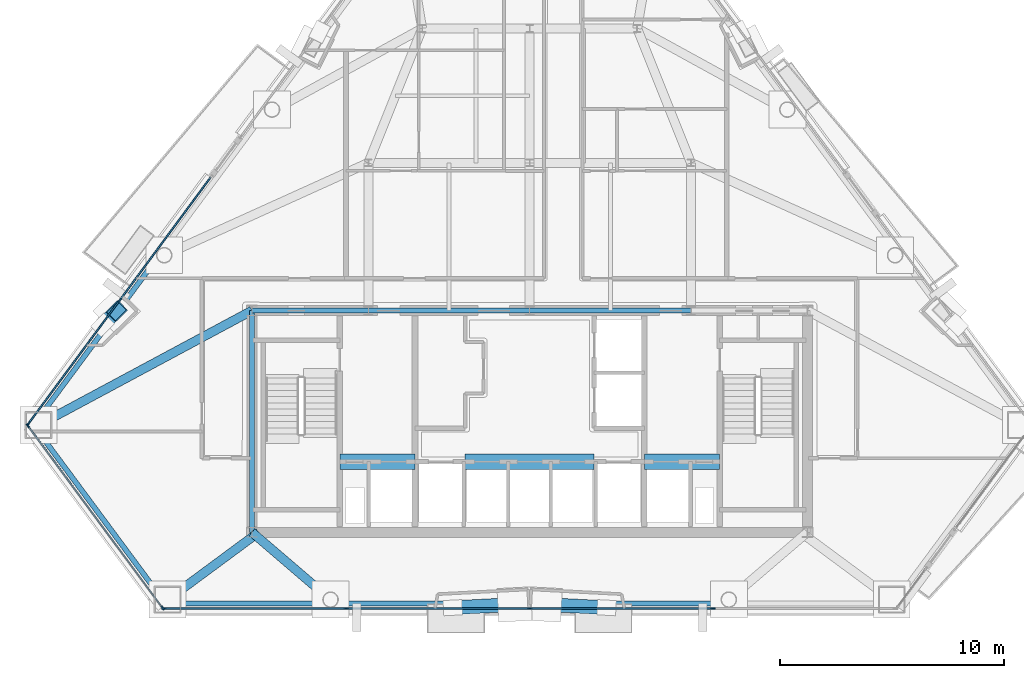
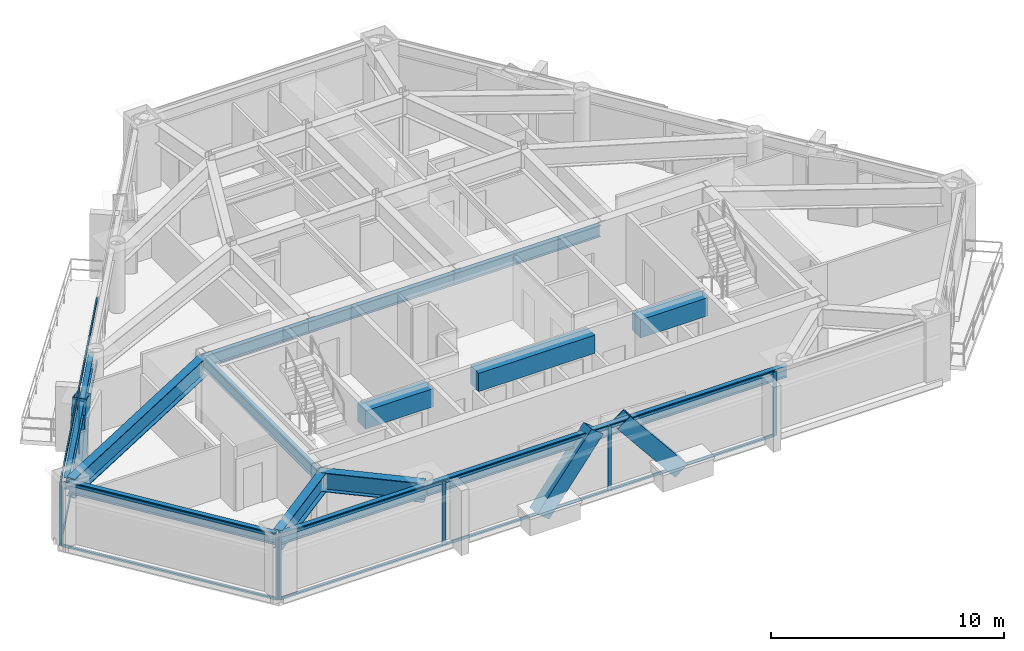
# One storey, part 3 of 11: 23 members, 14 beams, 3 elements without a shape of their own.
"""IFC4 building model written with IfcOpenShell, lengths in metres."""

from ifc_helpers import new_model, si_unit, direction, frame, origin, origin_2d, place, context, subcontext, project, spatial, rectangle, hollow_rectangle, i_section, extrude, material, layer, layer_set, material_profile, profile_set, type_object, element, aggregate, save


model = new_model("IFC4")

# Units and contexts
model_context = context("Model", 3, precision=1e-05, world=origin(), true_north=direction((0.0, 1.0)))
body_context = subcontext(model_context, "Body", "Model", "MODEL_VIEW")
ifc_project = project(units=[si_unit("LENGTHUNIT", "METRE"), si_unit("AREAUNIT", "SQUARE_METRE"), si_unit("VOLUMEUNIT", "CUBIC_METRE"), si_unit("PLANEANGLEUNIT", "RADIAN"), si_unit("MASSUNIT", "GRAM", prefix="KILO")], contexts=[model_context])

# Site, building, storey
site_placement = place(None, origin())
site = spatial("IfcSite", under=ifc_project, at=site_placement, CompositionType="ELEMENT")
building_placement = place(site_placement, origin())
building = spatial("IfcBuilding", under=site, at=building_placement, Name="Talgorran Terracotta Tower", CompositionType="ELEMENT")
storey_placement = place(building_placement, frame((0.0, 0.0, 110.39990234375)))
storey = spatial("IfcBuildingStorey", under=building, at=storey_placement, Name="L28", CompositionType="ELEMENT", Elevation=110.39990234375)

# Beams
ifc_material_1 = material(Name="Steel Grade 350 (350L0)", Category="steel")
ifc_material_profile_1 = material_profile(ifc_material_1, i_section(OverallWidth=0.39990234375, OverallDepth=1.0, WebThickness=0.01611328125, FlangeThickness=0.031005859375, at=origin_2d()), Name="1000WB296")
ifc_profile_set_1 = profile_set([ifc_material_profile_1], Name="Steel Grade 350 (350L0)")
beam_type_1 = type_object("IfcBeamType", Name="BM_1000WB296", PredefinedType="BEAM", material=ifc_profile_set_1)
beam_1_placement = place(storey_placement, frame((-8.891845703125, -17.10791015625, 2.85009765625), z_axis=(-0.759159629556, 0.650904491345, 0.0), x_axis=(-0.650904491345, -0.759159629556, 0.0)))
element("IfcBeam", 1, at=beam_1_placement, inside=storey, type_object=beam_type_1, Name="L28 South-West Core Tie Beam", PredefinedType="BEAM", context=body_context, shape_type="SweptSolid", body=[
    extrude(i_section(OverallWidth=0.39990234375, OverallDepth=1.0, WebThickness=0.01611328125, FlangeThickness=0.031005859375, at=origin_2d()), origin(), (0.0, 0.0, 1.0), 4.62109375),
])
beam_2_placement = place(storey_placement, frame((-16.1669921875, -17.10791015625, 2.85009765625), z_axis=(0.804001573254, 0.594627169077, 0.0), x_axis=(-0.594627169077, 0.804001573254, 0.0)))
element("IfcBeam", 2, at=beam_2_placement, inside=storey, type_object=beam_type_1, Name="L28 Perimeter Step Girder 2", PredefinedType="BEAM", context=body_context, shape_type="SweptSolid", body=[
    extrude(i_section(OverallWidth=0.39990234375, OverallDepth=1.0, WebThickness=0.01611328125, FlangeThickness=0.031005859375, at=origin_2d()), origin(), (0.0, 0.0, 1.0), 5.058349609375),
])
beam_3_placement = place(storey_placement, frame((-12.39990234375, -4.199951171875, 2.85009765625), z_axis=(-0.88117219048, -0.472795485093, 0.0), x_axis=(0.472795485093, -0.88117219048, 0.0)))
element("IfcBeam", 3, at=beam_3_placement, inside=storey, type_object=beam_type_1, Name="L28 Floor Girder G17", PredefinedType="BEAM", context=body_context, shape_type="SweptSolid", body=[
    extrude(i_section(OverallWidth=0.39990234375, OverallDepth=1.0, WebThickness=0.01611328125, FlangeThickness=0.031005859375, at=origin_2d()), origin(), (0.0, 0.0, 1.0), 10.820068359375),
])
ifc_material_2 = material(Name="Concrete C65/80", Category="concrete")
ifc_material_profile_2 = material_profile(ifc_material_2, rectangle(XDim=0.699951171875, YDim=0.949951171875, at=origin_2d()), Name="RCCB700X950")
ifc_profile_set_2 = profile_set([ifc_material_profile_2], Name="Concrete C65/80")
beam_type_2 = type_object("IfcBeamType", Name="BM_CB_700X950", PredefinedType="LINTEL", material=ifc_profile_set_2)
beam_4_placement = place(storey_placement, frame((-8.47998046875, -10.949951171875, 2.875), z_axis=(1.0, 0.0, 0.0), x_axis=(0.0, 1.0, 0.0)))
element("IfcBeam", 4, at=beam_4_placement, inside=storey, type_object=beam_type_2, Name="L28 Core Shear-Wall Coupling Beam CB1", PredefinedType="LINTEL", context=body_context, shape_type="SweptSolid", body=[
    extrude(rectangle(XDim=0.699951171875, YDim=0.949951171875, at=origin_2d()), origin(), (0.0, 0.0, 1.0), 3.35986328125),
])
beam_5_placement = place(storey_placement, frame((-2.8798828125, -10.949951171875, 2.875), z_axis=(1.0, 0.0, 0.0), x_axis=(0.0, 1.0, 0.0)))
element("IfcBeam", 5, at=beam_5_placement, inside=storey, type_object=beam_type_2, Name="L28 Core Shear-Wall Coupling Beam CB2", PredefinedType="LINTEL", context=body_context, shape_type="SweptSolid", body=[
    extrude(rectangle(XDim=0.699951171875, YDim=0.949951171875, at=origin_2d()), origin(), (0.0, 0.0, 1.0), 5.759765625),
])
beam_6_placement = place(storey_placement, frame((5.1201171875, -10.949951171875, 2.875), z_axis=(1.0, 0.0, 0.0), x_axis=(0.0, 1.0, 0.0)))
element("IfcBeam", 6, at=beam_6_placement, inside=storey, type_object=beam_type_2, Name="L28 Core Shear-Wall Coupling Beam CB3", PredefinedType="LINTEL", context=body_context, shape_type="SweptSolid", body=[
    extrude(rectangle(XDim=0.699951171875, YDim=0.949951171875, at=origin_2d()), origin(), (0.0, 0.0, 1.0), 3.35986328125),
])
ifc_material_3 = material(Name="Steel S355 (300PLUS)", Category="steel")
ifc_material_profile_3 = material_profile(ifc_material_3, i_section(OverallWidth=0.22900390625, OverallDepth=0.611572265625, WebThickness=0.011962890625, FlangeThickness=0.01953125, at=origin_2d()), Name="610UB125")
ifc_profile_set_3 = profile_set([ifc_material_profile_3], Name="Steel S355 (300PLUS)")
beam_type_3 = type_object("IfcBeamType", Name="BM_SP_610UB125", PredefinedType="SPANDREL", material=ifc_profile_set_3)
beam_7_placement = place(storey_placement, frame((-22.0791015625, -9.422607421875, 3.044189453125), z_axis=(0.594914928608, -0.803788671057, 0.0), x_axis=(0.803788671057, 0.594914928608, 0.0)))
element("IfcBeam", 7, at=beam_7_placement, inside=storey, type_object=beam_type_3, Name="L28 Perimeter Spandrel Beam MC1-MC2", PredefinedType="SPANDREL", context=body_context, shape_type="SweptSolid", body=[
    extrude(i_section(OverallWidth=0.22900390625, OverallDepth=0.611572265625, WebThickness=0.011962890625, FlangeThickness=0.01953125, at=origin_2d()), origin(), (0.0, 0.0, 1.0), 9.6943359375),
])
beam_8_placement = place(storey_placement, frame((-16.1669921875, -17.287841796875, 3.044189453125), z_axis=(1.0, 0.0, 0.0), x_axis=(0.0, 1.0, 0.0)))
element("IfcBeam", 8, at=beam_8_placement, inside=storey, type_object=beam_type_3, Name="L28 Perimeter Spandrel Beam MC2-FC1", PredefinedType="SPANDREL", context=body_context, shape_type="SweptSolid", body=[
    extrude(i_section(OverallWidth=0.22900390625, OverallDepth=0.611572265625, WebThickness=0.011962890625, FlangeThickness=0.01953125, at=origin_2d()), origin(), (0.0, 0.0, 1.0), 7.275146484375),
])
beam_9_placement = place(storey_placement, frame((-8.891845703125, -17.287841796875, 3.044189453125), z_axis=(1.0, 0.0, 0.0), x_axis=(0.0, 1.0, 0.0)))
element("IfcBeam", 9, at=beam_9_placement, inside=storey, type_object=beam_type_3, Name="L28 Perimeter Spandrel Beam FC1-FC2", PredefinedType="SPANDREL", context=body_context, shape_type="SweptSolid", body=[
    extrude(i_section(OverallWidth=0.22900390625, OverallDepth=0.611572265625, WebThickness=0.011962890625, FlangeThickness=0.01953125, at=origin_2d()), origin(), (0.0, 0.0, 1.0), 17.78369140625),
])
beam_10_placement = place(storey_placement, frame((-16.46337890625, -1.621337890625, 3.044189453125), z_axis=(-0.594926898508, -0.803779811535, 0.0), x_axis=(0.803779811535, -0.594926898508, 0.0)))
element("IfcBeam", 10, at=beam_10_placement, inside=storey, type_object=beam_type_3, Name="L28 Perimeter Spandrel Beam FC6-MC1", PredefinedType="SPANDREL", context=body_context, shape_type="SweptSolid", body=[
    extrude(i_section(OverallWidth=0.22900390625, OverallDepth=0.611572265625, WebThickness=0.011962890625, FlangeThickness=0.01953125, at=origin_2d()), origin(), (0.0, 0.0, 1.0), 9.439453125),
])
beam_11_placement = place(storey_placement, frame((-12.39990234375, -14.10009765625, 3.044189453125), z_axis=(0.0, 1.0, 0.0), x_axis=(-1.0, 0.0, 0.0)))
element("IfcBeam", 11, at=beam_11_placement, inside=storey, type_object=beam_type_3, Name="L28 Core Frame Beam CFW", PredefinedType="SPANDREL", context=body_context, shape_type="SweptSolid", body=[
    extrude(i_section(OverallWidth=0.22900390625, OverallDepth=0.611572265625, WebThickness=0.011962890625, FlangeThickness=0.01953125, at=origin_2d()), origin(), (0.0, 0.0, 1.0), 9.900146484375),
])
beam_12_placement = place(storey_placement, frame((-12.39990234375, -4.199951171875, 3.044189453125), z_axis=(1.0, 0.0, 0.0), x_axis=(0.0, 1.0, 0.0)))
element("IfcBeam", 12, at=beam_12_placement, inside=storey, type_object=beam_type_3, Name="L28 Core Frame Beam CFN1", PredefinedType="SPANDREL", context=body_context, shape_type="SweptSolid", body=[
    extrude(i_section(OverallWidth=0.22900390625, OverallDepth=0.611572265625, WebThickness=0.011962890625, FlangeThickness=0.01953125, at=origin_2d()), origin(), (0.0, 0.0, 1.0), 5.199951171875),
])
for number, where, z_axis, x_axis, name in (
    (13, (-7.199951171875, -4.199951171875, 3.044189453125), (1.0, 0.0, 0.0), (0.0, 1.0, 0.0), "L28 Core Frame Beam CFN2"),
    (14, (0.0, -4.199951171875, 3.044189453125), (1.0, 0.0, 0.0), (0.0, 1.0, 0.0), "L28 Core Frame Beam CFN3"),
):
    element("IfcBeam", number, at=place(storey_placement, frame(where, z_axis=z_axis, x_axis=x_axis)), inside=storey, type_object=beam_type_3, Name=name, PredefinedType="SPANDREL", context=body_context, shape_type="SweptSolid", body=[
        extrude(i_section(OverallWidth=0.22900390625, OverallDepth=0.611572265625, WebThickness=0.011962890625, FlangeThickness=0.01953125, at=origin_2d()), origin(), (0.0, 0.0, 1.0), 7.199951171875),
    ])

# Members
ifc_material_profile_4 = material_profile(ifc_material_1, hollow_rectangle(XDim=0.6201171875, YDim=0.780029296875, WallThickness=0.0419921875, at=origin_2d()), Name="WBOX780X620X42")
ifc_profile_set_4 = profile_set([ifc_material_profile_4], Name="Steel Grade 350 (350L0)")
member_type_1 = type_object("IfcMemberType", Name="MB_MEGA_780", PredefinedType="BRACE", material=ifc_profile_set_4)
for number, where, z_axis, x_axis, name in (
    (15, (-3.43310546875, -17.4677734375, -0.02490234375), (0.630052376054, 0.032981785005, 0.775851922268), (-0.052276111082, 0.998632669308, 0.0), "L28 Exterior Face Mega-Brace MB-2 (SWF)"),
    (16, (3.43310546875, -17.4677734375, -0.02490234375), (-0.630052376054, 0.032981785005, 0.775851922268), (-0.052276111082, -0.998632669308, 0.0), "L28 Exterior Face Mega-Brace MB-2 (SEF)"),
):
    element("IfcMember", number, at=place(storey_placement, frame(where, z_axis=z_axis, x_axis=x_axis)), inside=storey, type_object=member_type_1, Name=name, PredefinedType="BRACE", context=body_context, shape_type="SweptSolid", body=[
        extrude(hollow_rectangle(XDim=0.6201171875, YDim=0.780029296875, WallThickness=0.0419921875, at=origin_2d()), origin(), (0.0, 0.0, 1.0), 4.382080078125),
    ])
member_1_placement = place(storey_placement, frame((-19.071044921875, -4.841796875, -0.02490234375), z_axis=(0.178707725428, 0.176274909251, 0.967982802141), x_axis=(-0.702244247623, 0.711936104353, 0.0)))
element("IfcMember", 17, at=member_1_placement, inside=storey, type_object=member_type_1, Name="L28 Exterior Face Mega-Brace MB-2 (NWL)", PredefinedType="BRACE", context=body_context, shape_type="SweptSolid", body=[
    extrude(hollow_rectangle(XDim=0.6201171875, YDim=0.780029296875, WallThickness=0.0419921875, at=origin_2d()), origin(), (0.0, 0.0, 1.0), 3.512451171875),
])

# Curtain wall, members
ifc_material_4 = material(Name="Unitised Low-E Double Glazing", Category="glass")
ifc_layer = layer(ifc_material_4, 0.199951171875, Name="CW_SYS2_RES_LOW")
ifc_layer_set = layer_set([ifc_layer], Name="Unitised Low-E Double Glazing")
curtain_wall_type = type_object("IfcCurtainWallType", Name="CW_SYS2_RES_LOW", PredefinedType="NOTDEFINED", material=ifc_layer_set)
curtain_wall_1_placement = place(storey_placement, origin())
curtain_wall_1 = element("IfcCurtainWall", 18, at=curtain_wall_1_placement, inside=storey, type_object=curtain_wall_type, Name="CW-L28-F0", PredefinedType="NOTDEFINED")
ifc_material_5 = material(Name="Architectural Aluminium 6063-T6", Category="aluminium")
ifc_material_profile_5 = material_profile(ifc_material_5, rectangle(XDim=0.06494140625, YDim=0.18505859375, at=origin_2d()), Name="CWM65X185")
ifc_profile_set_5 = profile_set([ifc_material_profile_5], Name="Architectural Aluminium 6063-T6")
member_type_2 = type_object("IfcMemberType", Name="MUL_65X185", PredefinedType="MULLION", material=ifc_profile_set_5)
member_2_placement = place(storey_placement, frame((-22.41259765625, -9.341796875, 0.0), z_axis=(0.0, 0.0, 1.0), x_axis=(0.803791602963, 0.594910967294, 0.0)))
member_2 = element("IfcMember", 19, at=member_2_placement, type_object=member_type_2, Name="CW-L28-0 mullion 1", PredefinedType="MULLION", context=body_context, shape_type="SweptSolid", body=[
    extrude(rectangle(XDim=0.06494140625, YDim=0.18505859375, at=origin_2d()), origin(), (0.0, 0.0, 1.0), 3.35009765625),
])
member_3_placement = place(storey_placement, frame((-16.387939453125, -17.481689453125, 0.0), z_axis=(0.0, 0.0, 1.0), x_axis=(0.803791602963, 0.594910967294, 0.0)))
member_3 = element("IfcMember", 20, at=member_3_placement, type_object=member_type_2, Name="CW-L28-0 mullion 2", PredefinedType="MULLION", context=body_context, shape_type="SweptSolid", body=[
    extrude(rectangle(XDim=0.06494140625, YDim=0.18505859375, at=origin_2d()), origin(), (0.0, 0.0, 1.0), 3.35009765625),
])

curtain_wall_2_placement = place(storey_placement, origin())
curtain_wall_2 = element("IfcCurtainWall", 21, at=curtain_wall_2_placement, inside=storey, type_object=curtain_wall_type, Name="CW-L28-F1", PredefinedType="NOTDEFINED")
member_4_placement = place(storey_placement, frame((-16.336181640625, -17.5078125, 0.0), z_axis=(0.0, 0.0, 1.0), x_axis=(0.0, 1.0, 0.0)))
member_4 = element("IfcMember", 22, at=member_4_placement, type_object=member_type_2, Name="CW-L28-1 mullion 1", PredefinedType="MULLION", context=body_context, shape_type="SweptSolid", body=[
    extrude(rectangle(XDim=0.06494140625, YDim=0.18505859375, at=origin_2d()), origin(), (0.0, 0.0, 1.0), 3.35009765625),
])
member_5_placement = place(storey_placement, frame((-8.184326171875, -17.5078125, 0.0), z_axis=(0.0, 0.0, 1.0), x_axis=(0.0, 1.0, 0.0)))
member_5 = element("IfcMember", 23, at=member_5_placement, type_object=member_type_2, Name="CW-L28-1 mullion 2", PredefinedType="MULLION", context=body_context, shape_type="SweptSolid", body=[
    extrude(rectangle(XDim=0.06494140625, YDim=0.18505859375, at=origin_2d()), origin(), (0.0, 0.0, 1.0), 3.35009765625),
])
member_6_placement = place(storey_placement, frame((0.0, -17.5078125, 0.0), z_axis=(0.0, 0.0, 1.0), x_axis=(0.0, 1.0, 0.0)))
member_6 = element("IfcMember", 24, at=member_6_placement, type_object=member_type_2, Name="CW-L28-1 mullion 3", PredefinedType="MULLION", context=body_context, shape_type="SweptSolid", body=[
    extrude(rectangle(XDim=0.06494140625, YDim=0.18505859375, at=origin_2d()), origin(), (0.0, 0.0, 1.0), 3.35009765625),
])
member_7_placement = place(storey_placement, frame((8.184326171875, -17.5078125, 0.0), z_axis=(0.0, 0.0, 1.0), x_axis=(0.0, 1.0, 0.0)))
member_7 = element("IfcMember", 25, at=member_7_placement, type_object=member_type_2, Name="CW-L28-1 mullion 4", PredefinedType="MULLION", context=body_context, shape_type="SweptSolid", body=[
    extrude(rectangle(XDim=0.06494140625, YDim=0.18505859375, at=origin_2d()), origin(), (0.0, 0.0, 1.0), 3.35009765625),
])

curtain_wall_3_placement = place(storey_placement, origin())
curtain_wall_3 = element("IfcCurtainWall", 26, at=curtain_wall_3_placement, inside=storey, type_object=curtain_wall_type, Name="CW-L28-F61", PredefinedType="NOTDEFINED")
member_8_placement = place(storey_placement, frame((-18.306640625, -3.741943359375, 0.0), z_axis=(0.0, 0.0, 1.0), x_axis=(0.803790572236, -0.594912359919, 0.0)))
member_8 = element("IfcMember", 27, at=member_8_placement, type_object=member_type_2, Name="CW-L28-61 mullion 2", PredefinedType="MULLION", context=body_context, shape_type="SweptSolid", body=[
    extrude(rectangle(XDim=0.06494140625, YDim=0.18505859375, at=origin_2d()), origin(), (0.0, 0.0, 1.0), 3.35009765625),
])
member_9_placement = place(storey_placement, frame((-22.388671875, -9.25732421875, 0.0), z_axis=(0.0, 0.0, 1.0), x_axis=(0.803790572236, -0.594912359919, 0.0)))
member_9 = element("IfcMember", 28, at=member_9_placement, type_object=member_type_2, Name="CW-L28-61 mullion 3", PredefinedType="MULLION", context=body_context, shape_type="SweptSolid", body=[
    extrude(rectangle(XDim=0.06494140625, YDim=0.18505859375, at=origin_2d()), origin(), (0.0, 0.0, 1.0), 3.35009765625),
])

# Member
ifc_material_profile_6 = material_profile(ifc_material_5, rectangle(XDim=0.06494140625, YDim=0.14990234375, at=origin_2d()), Name="CWT65X150")
ifc_profile_set_6 = profile_set([ifc_material_profile_6], Name="Architectural Aluminium 6063-T6")
member_type_3 = type_object("IfcMemberType", Name="TRN_65X150", PredefinedType="USERDEFINED", material=ifc_profile_set_6)
member_10_placement = place(storey_placement, frame((-22.393310546875, -9.367919921875, 0.03271484375), z_axis=(0.594921707511, -0.803783653686, 0.0), x_axis=(0.803783653686, 0.594921707511, 0.0)))
member_10 = element("IfcMember", 29, at=member_10_placement, type_object=member_type_3, Name="CW-L28-0 transom 1.1", ObjectType="TRANSOM", PredefinedType="USERDEFINED", context=body_context, shape_type="SweptSolid", body=[
    extrude(rectangle(XDim=0.06494140625, YDim=0.14990234375, at=origin_2d()), origin(), (0.0, 0.0, 1.0), 10.06201171875),
])

member_11_placement = place(storey_placement, frame((-22.393310546875, -9.367919921875, 3.317626953125), z_axis=(0.594921707511, -0.803783653686, 0.0), x_axis=(0.803783653686, 0.594921707511, 0.0)))
member_11 = element("IfcMember", 30, at=member_11_placement, type_object=member_type_3, Name="CW-L28-0 transom 1.2", ObjectType="TRANSOM", PredefinedType="USERDEFINED", context=body_context, shape_type="SweptSolid", body=[
    extrude(rectangle(XDim=0.06494140625, YDim=0.14990234375, at=origin_2d()), origin(), (0.0, 0.0, 1.0), 10.06201171875),
])

aggregate(curtain_wall_1, [member_2, member_3, member_10, member_11])

member_12_placement = place(storey_placement, frame((-16.3037109375, -17.5078125, 0.03271484375), z_axis=(1.0, 0.0, 0.0), x_axis=(0.0, 1.0, 0.0)))
member_12 = element("IfcMember", 31, at=member_12_placement, type_object=member_type_3, Name="CW-L28-1 transom 1.1", ObjectType="TRANSOM", PredefinedType="USERDEFINED", context=body_context, shape_type="SweptSolid", body=[
    extrude(rectangle(XDim=0.06494140625, YDim=0.14990234375, at=origin_2d()), origin(), (0.0, 0.0, 1.0), 8.0869140625),
])

member_13_placement = place(storey_placement, frame((-16.3037109375, -17.5078125, 3.317626953125), z_axis=(1.0, 0.0, 0.0), x_axis=(0.0, 1.0, 0.0)))
member_13 = element("IfcMember", 32, at=member_13_placement, type_object=member_type_3, Name="CW-L28-1 transom 1.2", ObjectType="TRANSOM", PredefinedType="USERDEFINED", context=body_context, shape_type="SweptSolid", body=[
    extrude(rectangle(XDim=0.06494140625, YDim=0.14990234375, at=origin_2d()), origin(), (0.0, 0.0, 1.0), 8.0869140625),
])

member_14_placement = place(storey_placement, frame((-8.15185546875, -17.5078125, 0.03271484375), z_axis=(1.0, 0.0, 0.0), x_axis=(0.0, 1.0, 0.0)))
member_14 = element("IfcMember", 33, at=member_14_placement, type_object=member_type_3, Name="CW-L28-1 transom 2.1", ObjectType="TRANSOM", PredefinedType="USERDEFINED", context=body_context, shape_type="SweptSolid", body=[
    extrude(rectangle(XDim=0.06494140625, YDim=0.14990234375, at=origin_2d()), origin(), (0.0, 0.0, 1.0), 8.119384765625),
])

member_15_placement = place(storey_placement, frame((-8.15185546875, -17.5078125, 3.317626953125), z_axis=(1.0, 0.0, 0.0), x_axis=(0.0, 1.0, 0.0)))
member_15 = element("IfcMember", 34, at=member_15_placement, type_object=member_type_3, Name="CW-L28-1 transom 2.2", ObjectType="TRANSOM", PredefinedType="USERDEFINED", context=body_context, shape_type="SweptSolid", body=[
    extrude(rectangle(XDim=0.06494140625, YDim=0.14990234375, at=origin_2d()), origin(), (0.0, 0.0, 1.0), 8.119384765625),
])

member_16_placement = place(storey_placement, frame((0.032470703125, -17.5078125, 0.03271484375), z_axis=(1.0, 0.0, 0.0), x_axis=(0.0, 1.0, 0.0)))
member_16 = element("IfcMember", 35, at=member_16_placement, type_object=member_type_3, Name="CW-L28-1 transom 3.1", ObjectType="TRANSOM", PredefinedType="USERDEFINED", context=body_context, shape_type="SweptSolid", body=[
    extrude(rectangle(XDim=0.06494140625, YDim=0.14990234375, at=origin_2d()), origin(), (0.0, 0.0, 1.0), 8.119384765625),
])

member_17_placement = place(storey_placement, frame((0.032470703125, -17.5078125, 3.317626953125), z_axis=(1.0, 0.0, 0.0), x_axis=(0.0, 1.0, 0.0)))
member_17 = element("IfcMember", 36, at=member_17_placement, type_object=member_type_3, Name="CW-L28-1 transom 3.2", ObjectType="TRANSOM", PredefinedType="USERDEFINED", context=body_context, shape_type="SweptSolid", body=[
    extrude(rectangle(XDim=0.06494140625, YDim=0.14990234375, at=origin_2d()), origin(), (0.0, 0.0, 1.0), 8.119384765625),
])

aggregate(curtain_wall_2, [member_4, member_5, member_6, member_7, member_12, member_13, member_14, member_15, member_16, member_17])

member_18_placement = place(storey_placement, frame((-14.243896484375, 1.747314453125, 0.03271484375), z_axis=(-0.594913098461, -0.803790025616, 0.0), x_axis=(0.803790025616, -0.594913098461, 0.0)))
member_18 = element("IfcMember", 37, at=member_18_placement, type_object=member_type_3, Name="CW-L28-61 transom 1.1", ObjectType="TRANSOM", PredefinedType="USERDEFINED", context=body_context, shape_type="SweptSolid", body=[
    extrude(rectangle(XDim=0.06494140625, YDim=0.14990234375, at=origin_2d()), origin(), (0.0, 0.0, 1.0), 6.796630859375),
])

member_19_placement = place(storey_placement, frame((-14.243896484375, 1.747314453125, 3.317626953125), z_axis=(-0.594913098461, -0.803790025616, 0.0), x_axis=(0.803790025616, -0.594913098461, 0.0)))
member_19 = element("IfcMember", 38, at=member_19_placement, type_object=member_type_3, Name="CW-L28-61 transom 1.2", ObjectType="TRANSOM", PredefinedType="USERDEFINED", context=body_context, shape_type="SweptSolid", body=[
    extrude(rectangle(XDim=0.06494140625, YDim=0.14990234375, at=origin_2d()), origin(), (0.0, 0.0, 1.0), 6.796630859375),
])

member_20_placement = place(storey_placement, frame((-18.325927734375, -3.76806640625, 0.03271484375), z_axis=(-0.594913098461, -0.803790025616, 0.0), x_axis=(0.803790025616, -0.594913098461, 0.0)))
member_20 = element("IfcMember", 39, at=member_20_placement, type_object=member_type_3, Name="CW-L28-61 transom 2.1", ObjectType="TRANSOM", PredefinedType="USERDEFINED", context=body_context, shape_type="SweptSolid", body=[
    extrude(rectangle(XDim=0.06494140625, YDim=0.14990234375, at=origin_2d()), origin(), (0.0, 0.0, 1.0), 6.796630859375),
])

member_21_placement = place(storey_placement, frame((-18.325927734375, -3.76806640625, 3.317626953125), z_axis=(-0.594913098461, -0.803790025616, 0.0), x_axis=(0.803790025616, -0.594913098461, 0.0)))
member_21 = element("IfcMember", 40, at=member_21_placement, type_object=member_type_3, Name="CW-L28-61 transom 2.2", ObjectType="TRANSOM", PredefinedType="USERDEFINED", context=body_context, shape_type="SweptSolid", body=[
    extrude(rectangle(XDim=0.06494140625, YDim=0.14990234375, at=origin_2d()), origin(), (0.0, 0.0, 1.0), 6.796630859375),
])

aggregate(curtain_wall_3, [member_8, member_9, member_18, member_19, member_20, member_21])

save(model, "model.ifc")
